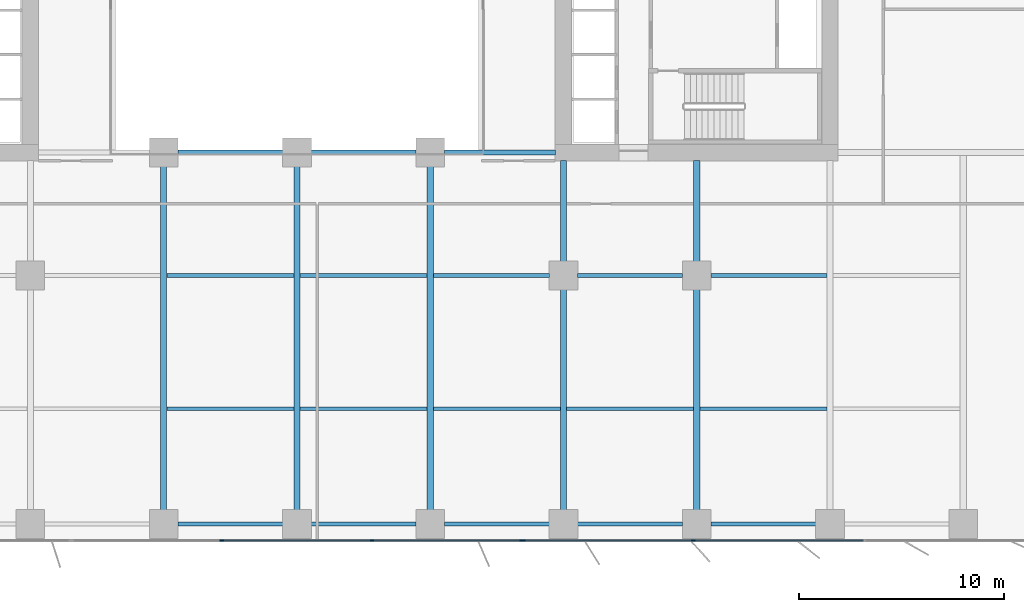
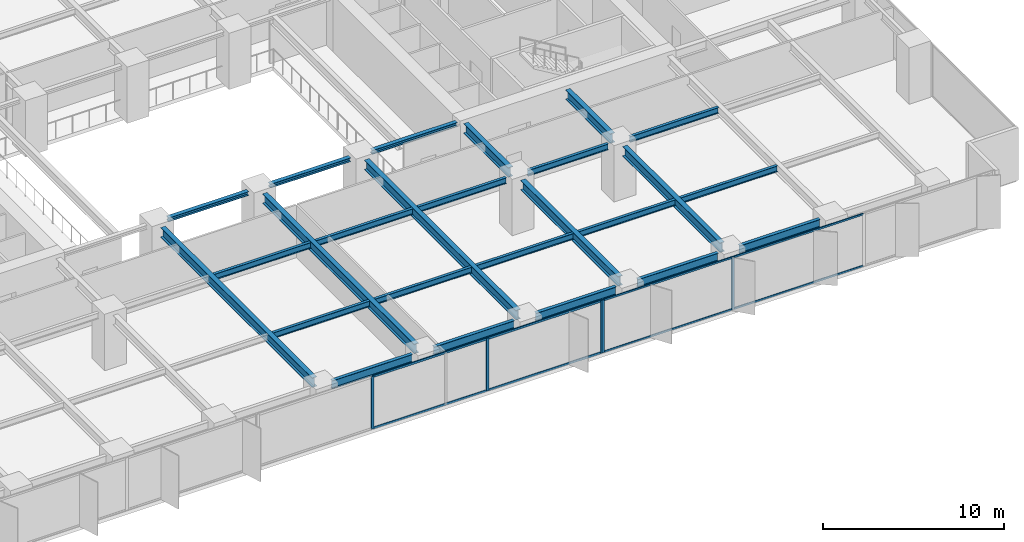
# One storey, part 5 of 20: 25 beams, 13 members, 2 elements without a shape of their own.
"""IFC4 building model written with IfcOpenShell, lengths in metres."""

from ifc_helpers import new_model, si_unit, direction, frame, origin, origin_2d, place, context, subcontext, project, spatial, rectangle, i_section, extrude, material, layer, layer_set, material_profile, profile_set, type_object, element, aggregate, save


model = new_model("IFC4")

# Units and contexts
model_context = context("Model", 3, precision=1e-05, world=origin(), true_north=direction((0.0, 1.0)))
body_context = subcontext(model_context, "Body", "Model", "MODEL_VIEW")
ifc_project = project(units=[si_unit("LENGTHUNIT", "METRE"), si_unit("AREAUNIT", "SQUARE_METRE"), si_unit("VOLUMEUNIT", "CUBIC_METRE"), si_unit("PLANEANGLEUNIT", "RADIAN"), si_unit("MASSUNIT", "GRAM", prefix="KILO")], contexts=[model_context])

# Site, building, storey
site_placement = place(None, origin())
site = spatial("IfcSite", under=ifc_project, at=site_placement, CompositionType="ELEMENT")
building_placement = place(site_placement, origin())
building = spatial("IfcBuilding", under=site, at=building_placement, Name="Putna Gate Headquarters", CompositionType="ELEMENT")
storey_placement = place(building_placement, frame((0.0, 0.0, 35.39990234375)))
storey = spatial("IfcBuildingStorey", under=building, at=storey_placement, Name="L07", CompositionType="ELEMENT", Elevation=35.39990234375)

# Beams
ifc_material_1 = material(Name="Steel S355J2", Category="steel")
ifc_material_profile_1 = material_profile(ifc_material_1, i_section(OverallWidth=0.260009765625, OverallDepth=0.260009765625, WebThickness=0.010009765625, FlangeThickness=0.017578125, at=origin_2d()), Name="Steel S355J2")
ifc_profile_set_1 = profile_set([ifc_material_profile_1], Name="Steel S355J2")
beam_type_1 = type_object("IfcBeamType", Name="BM-ATRIUM-HEB260", PredefinedType="BEAM", material=ifc_profile_set_1)
for number, where, z_axis, x_axis, name in (
    (1, (33.18798828125, 19.0, 3.420166015625), (1.0, 0.0, 0.0), (0.0, 1.0, 0.0), "L07 Atrium Edge Beam AS2"),
    (2, (39.68798828125, 19.0, 3.420166015625), (1.0, 0.0, 0.0), (0.0, 1.0, 0.0), "L07 Atrium Edge Beam AS3"),
):
    element("IfcBeam", number, at=place(storey_placement, frame(where, z_axis=z_axis, x_axis=x_axis)), inside=storey, type_object=beam_type_1, Name=name, PredefinedType="BEAM", context=body_context, shape_type="SweptSolid", body=[
        extrude(i_section(OverallWidth=0.260009765625, OverallDepth=0.260009765625, WebThickness=0.010009765625, FlangeThickness=0.017578125, at=origin_2d()), origin(), (0.0, 0.0, 1.0), 5.1240234375),
    ])
beam_1_placement = place(storey_placement, frame((46.18798828125, 19.0, 3.420166015625), z_axis=(1.0, 0.0, 0.0), x_axis=(0.0, 1.0, 0.0)))
element("IfcBeam", 3, at=beam_1_placement, inside=storey, type_object=beam_type_1, Name="L07 Atrium Edge Beam AS4", PredefinedType="BEAM", context=body_context, shape_type="SweptSolid", body=[
    extrude(i_section(OverallWidth=0.260009765625, OverallDepth=0.260009765625, WebThickness=0.010009765625, FlangeThickness=0.017578125, at=origin_2d()), origin(), (0.0, 0.0, 1.0), 5.427001953125),
])
ifc_material_profile_2 = material_profile(ifc_material_1, i_section(OverallWidth=0.300048828125, OverallDepth=0.64990234375, WebThickness=0.01611328125, FlangeThickness=0.031005859375, at=origin_2d()), Name="Steel S355J2")
ifc_profile_set_2 = profile_set([ifc_material_profile_2], Name="Steel S355J2")
beam_type_2 = type_object("IfcBeamType", Name="BM-GIRD-Z1-HEB650", PredefinedType="USERDEFINED", material=ifc_profile_set_2)
for number, where, z_axis, x_axis, name in (
    (4, (32.5, 1.568115234375, 3.22509765625), (0.0, 1.0, 0.0), (-1.0, 0.0, 0.0), "L07 South Primary Girder X32"),
    (5, (39.0, 1.568115234375, 3.22509765625), (0.0, 1.0, 0.0), (-1.0, 0.0, 0.0), "L07 South Primary Girder X39"),
    (6, (45.5, 1.568115234375, 3.22509765625), (0.0, 1.0, 0.0), (-1.0, 0.0, 0.0), "L07 South Primary Girder X45"),
):
    element("IfcBeam", number, at=place(storey_placement, frame(where, z_axis=z_axis, x_axis=x_axis)), inside=storey, type_object=beam_type_2, Name=name, ObjectType="GIRDER", PredefinedType="USERDEFINED", context=body_context, shape_type="SweptSolid", body=[
        extrude(i_section(OverallWidth=0.300048828125, OverallDepth=0.64990234375, WebThickness=0.01611328125, FlangeThickness=0.031005859375, at=origin_2d()), origin(), (0.0, 0.0, 1.0), 16.743896484375),
    ])
beam_2_placement = place(storey_placement, frame((52.0, 1.568115234375, 3.22509765625), z_axis=(0.0, 1.0, 0.0), x_axis=(-1.0, 0.0, 0.0)))
element("IfcBeam", 7, at=beam_2_placement, inside=storey, type_object=beam_type_2, Name="L07 South Primary Girder X52-1", ObjectType="GIRDER", PredefinedType="USERDEFINED", context=body_context, shape_type="SweptSolid", body=[
    extrude(i_section(OverallWidth=0.300048828125, OverallDepth=0.64990234375, WebThickness=0.01611328125, FlangeThickness=0.031005859375, at=origin_2d()), origin(), (0.0, 0.0, 1.0), 10.743896484375),
])
beam_3_placement = place(storey_placement, frame((52.0, 13.68798828125, 3.22509765625), z_axis=(0.0, 1.0, 0.0), x_axis=(-1.0, 0.0, 0.0)))
element("IfcBeam", 8, at=beam_3_placement, inside=storey, type_object=beam_type_2, Name="L07 South Primary Girder X52-2", ObjectType="GIRDER", PredefinedType="USERDEFINED", context=body_context, shape_type="SweptSolid", body=[
    extrude(i_section(OverallWidth=0.300048828125, OverallDepth=0.64990234375, WebThickness=0.01611328125, FlangeThickness=0.031005859375, at=origin_2d()), origin(), (0.0, 0.0, 1.0), 4.927001953125),
])
beam_4_placement = place(storey_placement, frame((58.5, 1.568115234375, 3.22509765625), z_axis=(0.0, 1.0, 0.0), x_axis=(-1.0, 0.0, 0.0)))
element("IfcBeam", 9, at=beam_4_placement, inside=storey, type_object=beam_type_2, Name="L07 South Primary Girder X58-1", ObjectType="GIRDER", PredefinedType="USERDEFINED", context=body_context, shape_type="SweptSolid", body=[
    extrude(i_section(OverallWidth=0.300048828125, OverallDepth=0.64990234375, WebThickness=0.01611328125, FlangeThickness=0.031005859375, at=origin_2d()), origin(), (0.0, 0.0, 1.0), 10.743896484375),
])
beam_5_placement = place(storey_placement, frame((58.5, 13.68798828125, 3.22509765625), z_axis=(0.0, 1.0, 0.0), x_axis=(-1.0, 0.0, 0.0)))
element("IfcBeam", 10, at=beam_5_placement, inside=storey, type_object=beam_type_2, Name="L07 South Primary Girder X58-2", ObjectType="GIRDER", PredefinedType="USERDEFINED", context=body_context, shape_type="SweptSolid", body=[
    extrude(i_section(OverallWidth=0.300048828125, OverallDepth=0.64990234375, WebThickness=0.01611328125, FlangeThickness=0.031005859375, at=origin_2d()), origin(), (0.0, 0.0, 1.0), 4.927001953125),
])
ifc_material_profile_3 = material_profile(ifc_material_1, i_section(OverallWidth=0.179931640625, OverallDepth=0.39990234375, WebThickness=0.008544921875, FlangeThickness=0.013427734375, at=origin_2d()), Name="Steel S355J2")
ifc_profile_set_3 = profile_set([ifc_material_profile_3], Name="Steel S355J2")
beam_type_3 = type_object("IfcBeamType", Name="BM-SEC-Z1-IPE400", PredefinedType="BEAM", material=ifc_profile_set_3)
for number, where, z_axis, x_axis, name in (
    (11, (32.654052734375, 6.5, 3.35009765625), (1.0, 0.0, 0.0), (0.0, 1.0, 0.0), "L07 South Secondary Beam 5"),
    (12, (32.654052734375, 13.0, 3.35009765625), (1.0, 0.0, 0.0), (0.0, 1.0, 0.0), "L07 South Secondary Beam 5"),
    (13, (39.154052734375, 6.5, 3.35009765625), (1.0, 0.0, 0.0), (0.0, 1.0, 0.0), "L07 South Secondary Beam 6"),
    (14, (39.154052734375, 13.0, 3.35009765625), (1.0, 0.0, 0.0), (0.0, 1.0, 0.0), "L07 South Secondary Beam 6"),
    (15, (45.654052734375, 6.5, 3.35009765625), (1.0, 0.0, 0.0), (0.0, 1.0, 0.0), "L07 South Secondary Beam 7"),
):
    element("IfcBeam", number, at=place(storey_placement, frame(where, z_axis=z_axis, x_axis=x_axis)), inside=storey, type_object=beam_type_3, Name=name, PredefinedType="BEAM", context=body_context, shape_type="SweptSolid", body=[
        extrude(i_section(OverallWidth=0.179931640625, OverallDepth=0.39990234375, WebThickness=0.008544921875, FlangeThickness=0.013427734375, at=origin_2d()), origin(), (0.0, 0.0, 1.0), 6.19189453125),
    ])
beam_6_placement = place(storey_placement, frame((45.654052734375, 13.0, 3.35009765625), z_axis=(1.0, 0.0, 0.0), x_axis=(0.0, 1.0, 0.0)))
element("IfcBeam", 16, at=beam_6_placement, inside=storey, type_object=beam_type_3, Name="L07 South Secondary Beam 7", PredefinedType="BEAM", context=body_context, shape_type="SweptSolid", body=[
    extrude(i_section(OverallWidth=0.179931640625, OverallDepth=0.39990234375, WebThickness=0.008544921875, FlangeThickness=0.013427734375, at=origin_2d()), origin(), (0.0, 0.0, 1.0), 5.657958984375),
])
beam_7_placement = place(storey_placement, frame((52.154052734375, 6.5, 3.35009765625), z_axis=(1.0, 0.0, 0.0), x_axis=(0.0, 1.0, 0.0)))
element("IfcBeam", 17, at=beam_7_placement, inside=storey, type_object=beam_type_3, Name="L07 South Secondary Beam 8", PredefinedType="BEAM", context=body_context, shape_type="SweptSolid", body=[
    extrude(i_section(OverallWidth=0.179931640625, OverallDepth=0.39990234375, WebThickness=0.008544921875, FlangeThickness=0.013427734375, at=origin_2d()), origin(), (0.0, 0.0, 1.0), 6.19189453125),
])
beam_8_placement = place(storey_placement, frame((52.68798828125, 13.0, 3.35009765625), z_axis=(1.0, 0.0, 0.0), x_axis=(0.0, 1.0, 0.0)))
element("IfcBeam", 18, at=beam_8_placement, inside=storey, type_object=beam_type_3, Name="L07 South Secondary Beam 8", PredefinedType="BEAM", context=body_context, shape_type="SweptSolid", body=[
    extrude(i_section(OverallWidth=0.179931640625, OverallDepth=0.39990234375, WebThickness=0.008544921875, FlangeThickness=0.013427734375, at=origin_2d()), origin(), (0.0, 0.0, 1.0), 5.1240234375),
])
beam_9_placement = place(storey_placement, frame((58.654052734375, 6.5, 3.35009765625), z_axis=(1.0, 0.0, 0.0), x_axis=(0.0, 1.0, 0.0)))
element("IfcBeam", 19, at=beam_9_placement, inside=storey, type_object=beam_type_3, Name="L07 South Secondary Beam 9", PredefinedType="BEAM", context=body_context, shape_type="SweptSolid", body=[
    extrude(i_section(OverallWidth=0.179931640625, OverallDepth=0.39990234375, WebThickness=0.008544921875, FlangeThickness=0.013427734375, at=origin_2d()), origin(), (0.0, 0.0, 1.0), 6.19189453125),
])
beam_10_placement = place(storey_placement, frame((59.18798828125, 13.0, 3.35009765625), z_axis=(1.0, 0.0, 0.0), x_axis=(0.0, 1.0, 0.0)))
element("IfcBeam", 20, at=beam_10_placement, inside=storey, type_object=beam_type_3, Name="L07 South Secondary Beam 9", PredefinedType="BEAM", context=body_context, shape_type="SweptSolid", body=[
    extrude(i_section(OverallWidth=0.179931640625, OverallDepth=0.39990234375, WebThickness=0.008544921875, FlangeThickness=0.013427734375, at=origin_2d()), origin(), (0.0, 0.0, 1.0), 5.657958984375),
])
ifc_material_profile_4 = material_profile(ifc_material_1, i_section(OverallWidth=0.2099609375, OverallDepth=0.550048828125, WebThickness=0.010986328125, FlangeThickness=0.01708984375, at=origin_2d()), Name="Steel S355J2")
ifc_profile_set_4 = profile_set([ifc_material_profile_4], Name="Steel S355J2")
beam_type_4 = type_object("IfcBeamType", Name="BM-SPAN-Z1-IPE550", PredefinedType="SPANDREL", material=ifc_profile_set_4)
for number, where, z_axis, x_axis, name in (
    (21, (33.18798828125, 0.8798828125, 3.275146484375), (1.0, 0.0, 0.0), (0.0, 1.0, 0.0), "L07 S Perimeter Spandrel 5"),
    (22, (39.68798828125, 0.8798828125, 3.275146484375), (1.0, 0.0, 0.0), (0.0, 1.0, 0.0), "L07 S Perimeter Spandrel 6"),
    (23, (46.18798828125, 0.8798828125, 3.275146484375), (1.0, 0.0, 0.0), (0.0, 1.0, 0.0), "L07 S Perimeter Spandrel 7"),
    (24, (52.68798828125, 0.8798828125, 3.275146484375), (1.0, 0.0, 0.0), (0.0, 1.0, 0.0), "L07 S Perimeter Spandrel 8"),
    (25, (59.18798828125, 0.8798828125, 3.275146484375), (1.0, 0.0, 0.0), (0.0, 1.0, 0.0), "L07 S Perimeter Spandrel 9"),
):
    element("IfcBeam", number, at=place(storey_placement, frame(where, z_axis=z_axis, x_axis=x_axis)), inside=storey, type_object=beam_type_4, Name=name, PredefinedType="SPANDREL", context=body_context, shape_type="SweptSolid", body=[
        extrude(i_section(OverallWidth=0.2099609375, OverallDepth=0.550048828125, WebThickness=0.010986328125, FlangeThickness=0.01708984375, at=origin_2d()), origin(), (0.0, 0.0, 1.0), 5.1240234375),
    ])

# Curtain wall, members
ifc_material_2 = material(Name="Anodised bronze aluminium curtain wall", Category="aluminium")
ifc_layer_1 = layer(ifc_material_2, 0.179931640625)
ifc_layer_set_1 = layer_set([ifc_layer_1], Name="Anodised bronze aluminium curtain wall")
curtain_wall_type_1 = type_object("IfcCurtainWallType", Name="CW-SYS-Z1", PredefinedType="USERDEFINED", material=ifc_layer_set_1)
curtain_wall_1_placement = place(storey_placement, origin())
curtain_wall_1 = element("IfcCurtainWall", 26, at=curtain_wall_1_placement, inside=storey, type_object=curtain_wall_type_1, Name="L07 South East Curtain Wall", ObjectType="STICK CURTAIN WALL", PredefinedType="USERDEFINED")
ifc_material_3 = material(Name="Anodised bronze aluminium EN AW-6060", Category="aluminium")
ifc_material_profile_5 = material_profile(ifc_material_3, rectangle(XDim=0.070068359375, YDim=0.179931640625, at=origin_2d()), Name="Anodised bronze aluminium EN AW-6060")
ifc_profile_set_5 = profile_set([ifc_material_profile_5], Name="Anodised bronze aluminium EN AW-6060")
member_type_1 = type_object("IfcMemberType", Name="MULL-CWM-1", PredefinedType="MULLION", material=ifc_profile_set_5)
member_1_placement = place(storey_placement, frame((50.034912109375, 0.080078125, 0.0), z_axis=(0.0, 0.0, 1.0), x_axis=(0.0, 1.0, 0.0)))
member_1 = element("IfcMember", 27, at=member_1_placement, type_object=member_type_1, Name="CWS-1 mullion 1", PredefinedType="MULLION", context=body_context, shape_type="SweptSolid", body=[
    extrude(rectangle(XDim=0.070068359375, YDim=0.179931640625, at=origin_2d()), origin(), (0.0, 0.0, 1.0), 3.550048828125),
])
member_2_placement = place(storey_placement, frame((58.333251953125, 0.080078125, 0.0), z_axis=(0.0, 0.0, 1.0), x_axis=(0.0, 1.0, 0.0)))
member_2 = element("IfcMember", 28, at=member_2_placement, type_object=member_type_1, Name="CWS-1 mullion 2", PredefinedType="MULLION", context=body_context, shape_type="SweptSolid", body=[
    extrude(rectangle(XDim=0.070068359375, YDim=0.179931640625, at=origin_2d()), origin(), (0.0, 0.0, 1.0), 3.550048828125),
])

ifc_layer_2 = layer(ifc_material_2, 0.179931640625)
ifc_layer_set_2 = layer_set([ifc_layer_2], Name="Anodised bronze aluminium curtain wall")
curtain_wall_type_2 = type_object("IfcCurtainWallType", Name="CW-SYS-ATR", PredefinedType="USERDEFINED", material=ifc_layer_set_2)
curtain_wall_2_placement = place(storey_placement, origin())
curtain_wall_2 = element("IfcCurtainWall", 29, at=curtain_wall_2_placement, inside=storey, type_object=curtain_wall_type_2, Name="L07 South Atrium Clear Glazing", ObjectType="ATRIUM GLAZING", PredefinedType="USERDEFINED")
ifc_material_profile_6 = material_profile(ifc_material_3, rectangle(XDim=0.070068359375, YDim=0.179931640625, at=origin_2d()), Name="Anodised bronze aluminium EN AW-6060")
ifc_profile_set_6 = profile_set([ifc_material_profile_6], Name="Anodised bronze aluminium EN AW-6060")
member_type_2 = type_object("IfcMemberType", Name="MULL-CWM-AT", PredefinedType="MULLION", material=ifc_profile_set_6)
member_3_placement = place(storey_placement, frame((35.333251953125, 0.080078125, 0.0), z_axis=(0.0, 0.0, 1.0), x_axis=(0.0, 1.0, 0.0)))
member_3 = element("IfcMember", 30, at=member_3_placement, type_object=member_type_2, Name="CWS-AT mullion 2", PredefinedType="MULLION", context=body_context, shape_type="SweptSolid", body=[
    extrude(rectangle(XDim=0.070068359375, YDim=0.179931640625, at=origin_2d()), origin(), (0.0, 0.0, 1.0), 3.550048828125),
])
member_4_placement = place(storey_placement, frame((42.666748046875, 0.080078125, 0.0), z_axis=(0.0, 0.0, 1.0), x_axis=(0.0, 1.0, 0.0)))
member_4 = element("IfcMember", 31, at=member_4_placement, type_object=member_type_2, Name="CWS-AT mullion 3", PredefinedType="MULLION", context=body_context, shape_type="SweptSolid", body=[
    extrude(rectangle(XDim=0.070068359375, YDim=0.179931640625, at=origin_2d()), origin(), (0.0, 0.0, 1.0), 3.550048828125),
])
member_5_placement = place(storey_placement, frame((49.965087890625, 0.080078125, 0.0), z_axis=(0.0, 0.0, 1.0), x_axis=(0.0, 1.0, 0.0)))
member_5 = element("IfcMember", 32, at=member_5_placement, type_object=member_type_2, Name="CWS-AT mullion 4", PredefinedType="MULLION", context=body_context, shape_type="SweptSolid", body=[
    extrude(rectangle(XDim=0.070068359375, YDim=0.179931640625, at=origin_2d()), origin(), (0.0, 0.0, 1.0), 3.550048828125),
])

# Member
ifc_material_profile_7 = material_profile(ifc_material_3, rectangle(XDim=0.06494140625, YDim=0.1201171875, at=origin_2d()), Name="Anodised bronze aluminium EN AW-6060")
ifc_profile_set_7 = profile_set([ifc_material_profile_7], Name="Anodised bronze aluminium EN AW-6060")
member_type_3 = type_object("IfcMemberType", Name="TRAN-CWT-1", PredefinedType="USERDEFINED", material=ifc_profile_set_7)
member_6_placement = place(storey_placement, frame((50.070068359375, 0.080078125, 0.03271484375), z_axis=(1.0, 0.0, 0.0), x_axis=(0.0, 1.0, 0.0)))
member_6 = element("IfcMember", 33, at=member_6_placement, type_object=member_type_3, Name="CWS-1 transom 1.1", ObjectType="TRANSOM", PredefinedType="USERDEFINED", context=body_context, shape_type="SweptSolid", body=[
    extrude(rectangle(XDim=0.06494140625, YDim=0.1201171875, at=origin_2d()), origin(), (0.0, 0.0, 1.0), 8.228271484375),
])

member_7_placement = place(storey_placement, frame((50.070068359375, 0.080078125, 3.517578125), z_axis=(1.0, 0.0, 0.0), x_axis=(0.0, 1.0, 0.0)))
member_7 = element("IfcMember", 34, at=member_7_placement, type_object=member_type_3, Name="CWS-1 transom 1.2", ObjectType="TRANSOM", PredefinedType="USERDEFINED", context=body_context, shape_type="SweptSolid", body=[
    extrude(rectangle(XDim=0.06494140625, YDim=0.1201171875, at=origin_2d()), origin(), (0.0, 0.0, 1.0), 8.228271484375),
])

member_8_placement = place(storey_placement, frame((58.368408203125, 0.080078125, 0.03271484375), z_axis=(1.0, 0.0, 0.0), x_axis=(0.0, 1.0, 0.0)))
member_8 = element("IfcMember", 35, at=member_8_placement, type_object=member_type_3, Name="CWS-1 transom 2.1", ObjectType="TRANSOM", PredefinedType="USERDEFINED", context=body_context, shape_type="SweptSolid", body=[
    extrude(rectangle(XDim=0.06494140625, YDim=0.1201171875, at=origin_2d()), origin(), (0.0, 0.0, 1.0), 8.26318359375),
])

member_9_placement = place(storey_placement, frame((58.368408203125, 0.080078125, 3.517578125), z_axis=(1.0, 0.0, 0.0), x_axis=(0.0, 1.0, 0.0)))
member_9 = element("IfcMember", 36, at=member_9_placement, type_object=member_type_3, Name="CWS-1 transom 2.2", ObjectType="TRANSOM", PredefinedType="USERDEFINED", context=body_context, shape_type="SweptSolid", body=[
    extrude(rectangle(XDim=0.06494140625, YDim=0.1201171875, at=origin_2d()), origin(), (0.0, 0.0, 1.0), 8.26318359375),
])

aggregate(curtain_wall_1, [member_1, member_2, member_6, member_7, member_8, member_9])

ifc_material_profile_8 = material_profile(ifc_material_3, rectangle(XDim=0.070068359375, YDim=0.139892578125, at=origin_2d()), Name="Anodised bronze aluminium EN AW-6060")
ifc_profile_set_8 = profile_set([ifc_material_profile_8], Name="Anodised bronze aluminium EN AW-6060")
member_type_4 = type_object("IfcMemberType", Name="TRAN-CWT-AT", PredefinedType="USERDEFINED", material=ifc_profile_set_8)
member_10_placement = place(storey_placement, frame((35.368408203125, 0.080078125, 0.03515625), z_axis=(1.0, 0.0, 0.0), x_axis=(0.0, 1.0, 0.0)))
member_10 = element("IfcMember", 37, at=member_10_placement, type_object=member_type_4, Name="CWS-AT transom 2.1", ObjectType="TRANSOM", PredefinedType="USERDEFINED", context=body_context, shape_type="SweptSolid", body=[
    extrude(rectangle(XDim=0.070068359375, YDim=0.139892578125, at=origin_2d()), origin(), (0.0, 0.0, 1.0), 7.26318359375),
])

member_11_placement = place(storey_placement, frame((35.368408203125, 0.080078125, 3.51513671875), z_axis=(1.0, 0.0, 0.0), x_axis=(0.0, 1.0, 0.0)))
member_11 = element("IfcMember", 38, at=member_11_placement, type_object=member_type_4, Name="CWS-AT transom 2.2", ObjectType="TRANSOM", PredefinedType="USERDEFINED", context=body_context, shape_type="SweptSolid", body=[
    extrude(rectangle(XDim=0.070068359375, YDim=0.139892578125, at=origin_2d()), origin(), (0.0, 0.0, 1.0), 7.26318359375),
])

member_12_placement = place(storey_placement, frame((42.70166015625, 0.080078125, 0.03515625), z_axis=(1.0, 0.0, 0.0), x_axis=(0.0, 1.0, 0.0)))
member_12 = element("IfcMember", 39, at=member_12_placement, type_object=member_type_4, Name="CWS-AT transom 3.1", ObjectType="TRANSOM", PredefinedType="USERDEFINED", context=body_context, shape_type="SweptSolid", body=[
    extrude(rectangle(XDim=0.070068359375, YDim=0.139892578125, at=origin_2d()), origin(), (0.0, 0.0, 1.0), 7.228271484375),
])

member_13_placement = place(storey_placement, frame((42.70166015625, 0.080078125, 3.51513671875), z_axis=(1.0, 0.0, 0.0), x_axis=(0.0, 1.0, 0.0)))
member_13 = element("IfcMember", 40, at=member_13_placement, type_object=member_type_4, Name="CWS-AT transom 3.2", ObjectType="TRANSOM", PredefinedType="USERDEFINED", context=body_context, shape_type="SweptSolid", body=[
    extrude(rectangle(XDim=0.070068359375, YDim=0.139892578125, at=origin_2d()), origin(), (0.0, 0.0, 1.0), 7.228271484375),
])

aggregate(curtain_wall_2, [member_3, member_4, member_5, member_10, member_11, member_12, member_13])

save(model, "model.ifc")
